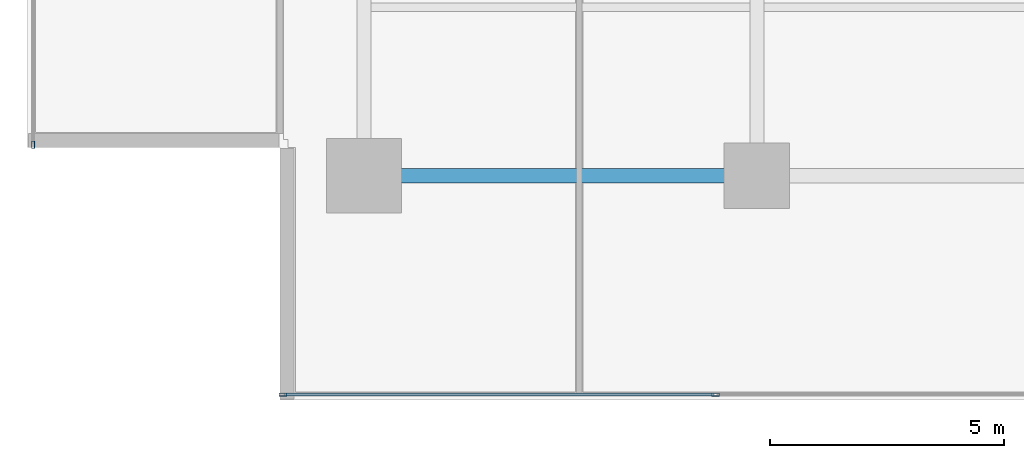
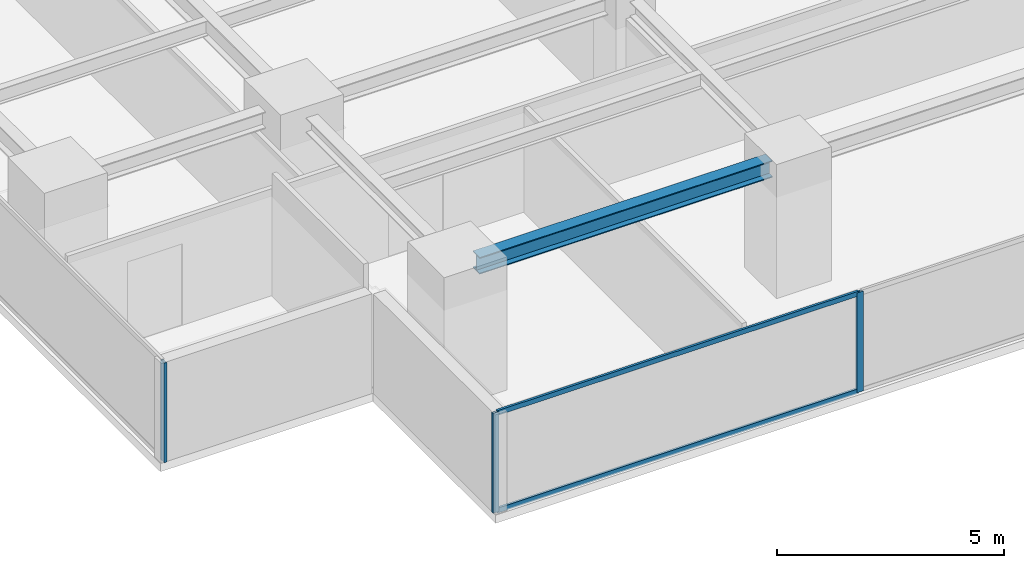
# One storey, part 2 of 28: 5 members, 1 beam, 2 elements without a shape of their own.
"""IFC4 building model written with IfcOpenShell, lengths in metres."""

from ifc_helpers import new_model, si_unit, direction, frame, origin, origin_2d, place, context, subcontext, project, spatial, hollow_rectangle, i_section, extrude, source, transform, mapped, material, layer, layer_set, material_profile, profile_set, type_object, element, aggregate, save


model = new_model("IFC4")

# Units and contexts
model_context = context("Model", 3, precision=1e-05, world=origin(), true_north=direction((0.0, 1.0)))
body_context = subcontext(model_context, "Body", "Model", "MODEL_VIEW")
ifc_project = project(units=[si_unit("LENGTHUNIT", "METRE"), si_unit("AREAUNIT", "SQUARE_METRE"), si_unit("VOLUMEUNIT", "CUBIC_METRE"), si_unit("PLANEANGLEUNIT", "RADIAN"), si_unit("MASSUNIT", "GRAM", prefix="KILO")], contexts=[model_context])

# Site, building, storey
site_placement = place(None, origin())
site = spatial("IfcSite", under=ifc_project, at=site_placement, CompositionType="ELEMENT")
building_placement = place(site_placement, origin())
building = spatial("IfcBuilding", under=site, at=building_placement, Name="Sumidabori Civic Tower", CompositionType="ELEMENT")
storey_placement = place(building_placement, frame((0.0, 0.0, 185.60009765625)))
storey = spatial("IfcBuildingStorey", under=building, at=storey_placement, Name="L48", CompositionType="ELEMENT", Elevation=185.60009765625)

# Beam
ifc_material_1 = material(Name="Steel SN490", Category="steel")
ifc_material_profile_1 = material_profile(ifc_material_1, i_section(OverallWidth=0.300048828125, OverallDepth=0.449951171875, WebThickness=0.013916015625, FlangeThickness=0.02587890625, at=origin_2d()), Name="HE 450 B")
ifc_profile_set_1 = profile_set([ifc_material_profile_1], Name="Steel SN490")
beam_type = type_object("IfcBeamType", Name="BM-GIRD-450", PredefinedType="BEAM", material=ifc_profile_set_1)
shared_shape_1 = source(origin(), body_context, "Body", "SweptSolid", [
    extrude(i_section(OverallWidth=0.300048828125, OverallDepth=0.449951171875, WebThickness=0.013916015625, FlangeThickness=0.02587890625, at=origin_2d()), origin(), (0.0, 0.0, 1.0), 7.440185546875),
])
beam_placement = place(storey_placement, frame((-16.320068359375, -18.0, 3.074951171875), z_axis=(1.0, 0.0, 0.0), x_axis=(0.0, 1.0, 0.0)))
element("IfcBeam", 1, at=beam_placement, inside=storey, type_object=beam_type, Name="Primary Girder L48 GX-01", PredefinedType="BEAM", context=body_context, shape_type="MappedRepresentation", body=[
    mapped(shared_shape_1, transform((0.0, 0.0, 0.0), x_axis=(1.0, 0.0, 0.0), y_axis=(0.0, 1.0, 0.0), z_axis=(0.0, 0.0, 1.0), scale=1.0)),
])

# Curtain wall, members
ifc_material_2 = material(Name="Anodised Bronze Aluminium AW-6063-T6", Category="aluminium")
ifc_layer = layer(ifc_material_2, 0.179931640625, Name="Anodised Bronze Aluminium AW-6063-T6")
ifc_layer_set = layer_set([ifc_layer], Name="Anodised Bronze Aluminium AW-6063-T6")
curtain_wall_type = type_object("IfcCurtainWallType", Name="CW-SYS-3", PredefinedType="NOTDEFINED", material=ifc_layer_set)
curtain_wall_1_placement = place(storey_placement, origin())
curtain_wall_1 = element("IfcCurtainWall", 2, at=curtain_wall_1_placement, inside=storey, type_object=curtain_wall_type, Name="Curtain Wall CW:L48:R01", PredefinedType="NOTDEFINED")
ifc_material_profile_2 = material_profile(ifc_material_2, hollow_rectangle(XDim=0.06494140625, YDim=0.159912109375, WallThickness=0.0048828125, at=origin_2d()), Name="ALU MULLION 160x65")
ifc_profile_set_2 = profile_set([ifc_material_profile_2], Name="Anodised Bronze Aluminium AW-6063-T6")
member_type_1 = type_object("IfcMemberType", Name="CW-MUL-160", PredefinedType="MULLION", material=ifc_profile_set_2)
shared_shape_2 = source(origin(), body_context, "Body", "SweptSolid", [
    extrude(hollow_rectangle(XDim=0.06494140625, YDim=0.159912109375, WallThickness=0.0048828125, at=origin_2d()), origin(), (0.0, 0.0, 1.0), 2.679931640625),
])
member_1_placement = place(storey_placement, frame((-18.53759765625, -22.679931640625, 0.0), z_axis=(0.0, 0.0, 1.0), x_axis=(0.0, 1.0, 0.0)))
member_1 = element("IfcMember", 3, at=member_1_placement, type_object=member_type_1, Name="CW-3 mullion 1", PredefinedType="MULLION", context=body_context, shape_type="MappedRepresentation", body=[
    mapped(shared_shape_2, transform((0.0, 0.0, 0.0), x_axis=(1.0, 0.0, 0.0), y_axis=(0.0, 1.0, 0.0), z_axis=(0.0, 0.0, 1.0), scale=1.0)),
])
member_2_placement = place(storey_placement, frame((-9.284912109375, -22.679931640625, 0.0), z_axis=(0.0, 0.0, 1.0), x_axis=(0.0, 1.0, 0.0)))
member_2 = element("IfcMember", 4, at=member_2_placement, type_object=member_type_1, Name="CW-3 mullion 2", PredefinedType="MULLION", context=body_context, shape_type="MappedRepresentation", body=[
    mapped(shared_shape_2, transform((0.0, 0.0, 0.0), x_axis=(1.0, 0.0, 0.0), y_axis=(0.0, 1.0, 0.0), z_axis=(0.0, 0.0, 1.0), scale=1.0)),
])

# Curtain wall, member
curtain_wall_2_placement = place(storey_placement, origin())
curtain_wall_2 = element("IfcCurtainWall", 5, at=curtain_wall_2_placement, inside=storey, type_object=curtain_wall_type, Name="Curtain Wall CW:L48:R10", PredefinedType="NOTDEFINED")
member_3_placement = place(storey_placement, frame((-23.8798828125, -17.33740234375, 0.0), z_axis=(0.0, 0.0, 1.0), x_axis=(1.0, 0.0, 0.0)))
member_3 = element("IfcMember", 6, at=member_3_placement, type_object=member_type_1, Name="CW-3 mullion 5", PredefinedType="MULLION", context=body_context, shape_type="MappedRepresentation", body=[
    mapped(shared_shape_2, transform((0.0, 0.0, 0.0), x_axis=(1.0, 0.0, 0.0), y_axis=(0.0, 1.0, 0.0), z_axis=(0.0, 0.0, 1.0), scale=1.0)),
])
aggregate(curtain_wall_2, [member_3])

# Member
ifc_material_profile_3 = material_profile(ifc_material_2, hollow_rectangle(XDim=0.06005859375, YDim=0.1298828125, WallThickness=0.0048828125, at=origin_2d()), Name="ALU TRANSOM 130x60")
ifc_profile_set_3 = profile_set([ifc_material_profile_3], Name="Anodised Bronze Aluminium AW-6063-T6")
member_type_2 = type_object("IfcMemberType", Name="CW-TRN-130", PredefinedType="USERDEFINED", material=ifc_profile_set_3)
shared_shape_3 = source(origin(), body_context, "Body", "SweptSolid", [
    extrude(hollow_rectangle(XDim=0.06005859375, YDim=0.1298828125, WallThickness=0.0048828125, at=origin_2d()), origin(), (0.0, 0.0, 1.0), 9.1875),
])
member_4_placement = place(storey_placement, frame((-18.5048828125, -22.679931640625, 0.02978515625), z_axis=(1.0, 0.0, 0.0), x_axis=(0.0, 1.0, 0.0)))
member_4 = element("IfcMember", 7, at=member_4_placement, type_object=member_type_2, Name="CW-3 transom 1.1", ObjectType="TRANSOM", PredefinedType="USERDEFINED", context=body_context, shape_type="MappedRepresentation", body=[
    mapped(shared_shape_3, transform((0.0, 0.0, 0.0), x_axis=(1.0, 0.0, 0.0), y_axis=(0.0, 1.0, 0.0), z_axis=(0.0, 0.0, 1.0), scale=1.0)),
])

member_5_placement = place(storey_placement, frame((-18.5048828125, -22.679931640625, 2.64990234375), z_axis=(1.0, 0.0, 0.0), x_axis=(0.0, 1.0, 0.0)))
member_5 = element("IfcMember", 8, at=member_5_placement, type_object=member_type_2, Name="CW-3 transom 1.2", ObjectType="TRANSOM", PredefinedType="USERDEFINED", context=body_context, shape_type="MappedRepresentation", body=[
    mapped(shared_shape_3, transform((0.0, 0.0, 0.0), x_axis=(1.0, 0.0, 0.0), y_axis=(0.0, 1.0, 0.0), z_axis=(0.0, 0.0, 1.0), scale=1.0)),
])

aggregate(curtain_wall_1, [member_1, member_2, member_4, member_5])

save(model, "model.ifc")
